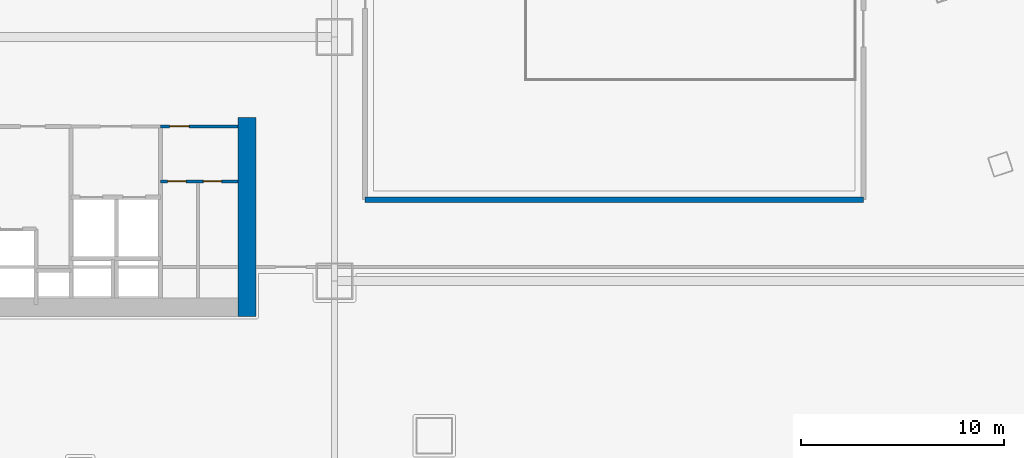
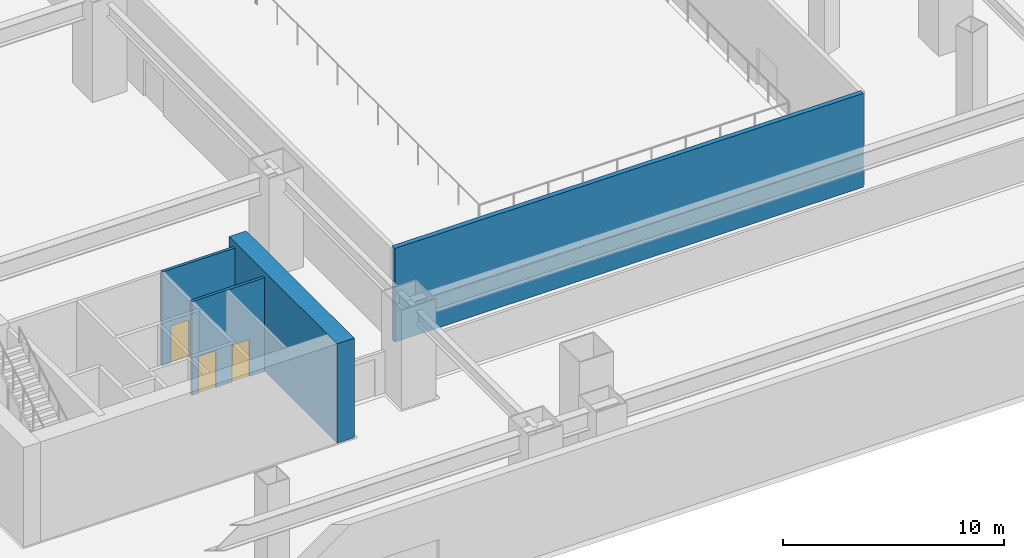
# One storey, part 24 of 35: 4 walls, 3 doors, 3 openings.
"""IFC4 building model written with IfcOpenShell, lengths in metres."""

from ifc_helpers import new_model, si_unit, direction, frame, frame_2d, origin, place, context, subcontext, project, spatial, rectangle, extrude, material, layer, layer_set, type_object, element, fill, save


model = new_model("IFC4")

# Units and contexts
model_context = context("Model", 3, precision=1e-05, world=origin(), true_north=direction((0.0, 1.0)))
body_context = subcontext(model_context, "Body", "Model", "MODEL_VIEW")
ifc_project = project(units=[si_unit("LENGTHUNIT", "METRE"), si_unit("AREAUNIT", "SQUARE_METRE"), si_unit("VOLUMEUNIT", "CUBIC_METRE"), si_unit("PLANEANGLEUNIT", "RADIAN"), si_unit("MASSUNIT", "GRAM", prefix="KILO")], contexts=[model_context])

# Site, building, storey
site_placement = place(None, origin())
site = spatial("IfcSite", under=ifc_project, at=site_placement, CompositionType="ELEMENT")
building_placement = place(site_placement, origin())
building = spatial("IfcBuilding", under=site, at=building_placement, Name="Qiaolan Cultural Towers", CompositionType="ELEMENT")
storey_placement = place(building_placement, frame((0.0, 0.0, 6.0)))
storey = spatial("IfcBuildingStorey", under=building, at=storey_placement, Name="L01", CompositionType="ELEMENT", Elevation=6.0)

# Walls
ifc_material_1 = material(Name="Concrete C60", Category="concrete")
ifc_layer_1 = layer(ifc_material_1, 0.89990234375)
ifc_layer_set_1 = layer_set([ifc_layer_1], Name="Concrete C60")
wall_type_1 = type_object("IfcWallType", Name="WL-CORE-900", PredefinedType="SHEAR", material=ifc_layer_set_1)
wall_1_placement = place(storey_placement, frame((38.199951171875, 22.050048828125, 0.0), z_axis=(0.0, 0.0, 1.0), x_axis=(0.0, -1.0, 0.0)))
element("IfcWall", 1, at=wall_1_placement, inside=storey, type_object=wall_type_1, Name="L01 T1-CS East Core Shear Wall", PredefinedType="SHEAR", context=body_context, shape_type="SweptSolid", body=[
    extrude(rectangle(XDim=9.780029296875, YDim=0.89990234375, at=frame_2d((4.89013671875, 0.0))), origin(), (0.0, 0.0, 1.0), 5.5),
])
ifc_material_2 = material(Name="Concrete C35 Fire Wall", Category="concrete")
ifc_layer_2 = layer(ifc_material_2, 0.199951171875)
ifc_layer_set_2 = layer_set([ifc_layer_2], Name="Concrete C35 Fire Wall")
wall_type_2 = type_object("IfcWallType", Name="WL-FIRE-200", PredefinedType="PARTITIONING", material=ifc_layer_set_2)
wall_2_placement = place(storey_placement, frame((44.0, 18.0, 0.0), z_axis=(0.0, 0.0, 1.0), x_axis=(1.0, 0.0, 0.0)))
element("IfcWall", 2, at=wall_2_placement, inside=storey, type_object=wall_type_2, Name="L01 Podium Partition AUD-S", PredefinedType="PARTITIONING", context=body_context, shape_type="SweptSolid", body=[
    extrude(rectangle(XDim=24.5, YDim=0.25, at=frame_2d((12.25, 0.0))), origin(), (0.0, 0.0, 1.0), 5.18505859375),
])

# Wall, opening, door
ifc_material_3 = material(Name="Autoclaved Aerated Concrete Block B06", Category="concrete")
ifc_layer_3 = layer(ifc_material_3, 0.14990234375)
ifc_layer_set_3 = layer_set([ifc_layer_3], Name="Autoclaved Aerated Concrete Block B06")
wall_type_3 = type_object("IfcWallType", Name="WL-PART-150", PredefinedType="PARTITIONING", material=ifc_layer_set_3)
wall_3_placement = place(storey_placement, frame((33.949951171875, 21.60009765625, 0.0), z_axis=(0.0, 0.0, 1.0), x_axis=(1.0, 0.0, 0.0)))
wall_3 = element("IfcWall", 3, at=wall_3_placement, inside=storey, type_object=wall_type_3, Name="L01 T1-CS Sanitary Core Front Wall", PredefinedType="PARTITIONING", context=body_context, shape_type="SweptSolid", body=[
    extrude(rectangle(XDim=3.800048828125, YDim=0.14990234375, at=frame_2d((1.89990234375, 0.0))), origin(), (0.0, 0.0, 1.0), 5.18505859375),
])
opening_1_placement = place(wall_3_placement, frame((0.449951171875, 0.0, 0.0)))
opening_1 = element("IfcOpeningElement", 4, at=opening_1_placement, cuts=wall_3, Name="Opening ID-05", PredefinedType="OPENING", context=body_context, shape_type="SweptSolid", body=[
    extrude(rectangle(XDim=0.949951171875, YDim=2.050048828125, at=frame_2d((0.47509765625, 1.02490234375))), frame((0.0, 0.0849609375, 0.0), z_axis=(0.0, -1.0, 0.0), x_axis=(1.0, 0.0, 0.0)), (0.0, 0.0, 1.0), 0.169921875),
])
ifc_material_4 = material(Name="Fire-Rated Laminate Accessible Core Door", Category="timber")
door_type_1 = type_object("IfcDoorType", Name="DR-INT-950", OperationType="NOTDEFINED", PredefinedType="DOOR", material=ifc_material_4)
door_1_placement = place(opening_1_placement, origin())
door_1 = element("IfcDoor", 5, at=door_1_placement, inside=storey, type_object=door_type_1, Name="L01 Sanitary Vestibule Door", OperationType="SINGLE_SWING_LEFT", OverallHeight=2.050048828125, OverallWidth=0.949951171875, PredefinedType="DOOR", context=body_context, shape_type="SweptSolid", body=[
    extrude(rectangle(XDim=0.949951171875, YDim=2.050048828125, at=frame_2d((0.47509765625, 1.02490234375))), frame((0.0, 0.02490234375, 0.0), z_axis=(0.0, -1.0, 0.0), x_axis=(1.0, 0.0, 0.0)), (0.0, 0.0, 1.0), 0.050048828125),
])
fill(opening_1, door_1)

# Wall, openings, doors
wall_4_placement = place(storey_placement, frame((33.949951171875, 18.89990234375, 0.0), z_axis=(0.0, 0.0, 1.0), x_axis=(1.0, 0.0, 0.0)))
wall_4 = element("IfcWall", 6, at=wall_4_placement, inside=storey, type_object=wall_type_3, Name="L01 T1-CS Restroom Vestibule Wall", PredefinedType="PARTITIONING", context=body_context, shape_type="SweptSolid", body=[
    extrude(rectangle(XDim=3.800048828125, YDim=0.14990234375, at=frame_2d((1.89990234375, 0.0))), origin(), (0.0, 0.0, 1.0), 5.18505859375),
])
opening_2_placement = place(wall_4_placement, frame((0.35009765625, 0.0, 0.0)))
opening_2 = element("IfcOpeningElement", 7, at=opening_2_placement, cuts=wall_4, Name="Opening ID-06", PredefinedType="OPENING", context=body_context, shape_type="SweptSolid", body=[
    extrude(rectangle(XDim=0.89990234375, YDim=2.050048828125, at=frame_2d((0.449951171875, 1.02490234375))), frame((0.0, 0.0849609375, 0.0), z_axis=(0.0, -1.0, 0.0), x_axis=(1.0, 0.0, 0.0)), (0.0, 0.0, 1.0), 0.169921875),
])
opening_3_placement = place(wall_4_placement, frame((2.10009765625, 0.0, 0.0)))
opening_3 = element("IfcOpeningElement", 8, at=opening_3_placement, cuts=wall_4, Name="Opening ID-06", PredefinedType="OPENING", context=body_context, shape_type="SweptSolid", body=[
    extrude(rectangle(XDim=0.89990234375, YDim=2.050048828125, at=frame_2d((0.449951171875, 1.02490234375))), frame((0.0, 0.0849609375, 0.0), z_axis=(0.0, -1.0, 0.0), x_axis=(1.0, 0.0, 0.0)), (0.0, 0.0, 1.0), 0.169921875),
])
ifc_material_5 = material(Name="Fire-Rated Laminate Core Service Door", Category="timber")
door_type_2 = type_object("IfcDoorType", Name="DR-INT-900", OperationType="NOTDEFINED", PredefinedType="DOOR", material=ifc_material_5)
door_2_placement = place(opening_2_placement, origin())
door_2 = element("IfcDoor", 9, at=door_2_placement, inside=storey, type_object=door_type_2, Name="L01 Men Restroom Door", OperationType="SINGLE_SWING_LEFT", OverallHeight=2.050048828125, OverallWidth=0.89990234375, PredefinedType="DOOR", context=body_context, shape_type="SweptSolid", body=[
    extrude(rectangle(XDim=0.89990234375, YDim=2.050048828125, at=frame_2d((0.449951171875, 1.02490234375))), frame((0.0, 0.02490234375, 0.0), z_axis=(0.0, -1.0, 0.0), x_axis=(1.0, 0.0, 0.0)), (0.0, 0.0, 1.0), 0.050048828125),
])
fill(opening_2, door_2)
door_3_placement = place(opening_3_placement, origin())
door_3 = element("IfcDoor", 10, at=door_3_placement, inside=storey, type_object=door_type_2, Name="L01 Accessible & Women Restroom Door", OperationType="SINGLE_SWING_RIGHT", OverallHeight=2.050048828125, OverallWidth=0.89990234375, PredefinedType="DOOR", context=body_context, shape_type="SweptSolid", body=[
    extrude(rectangle(XDim=0.89990234375, YDim=2.050048828125, at=frame_2d((0.449951171875, 1.02490234375))), frame((0.0, 0.02490234375, 0.0), z_axis=(0.0, -1.0, 0.0), x_axis=(1.0, 0.0, 0.0)), (0.0, 0.0, 1.0), 0.050048828125),
])
fill(opening_3, door_3)

save(model, "model.ifc")
